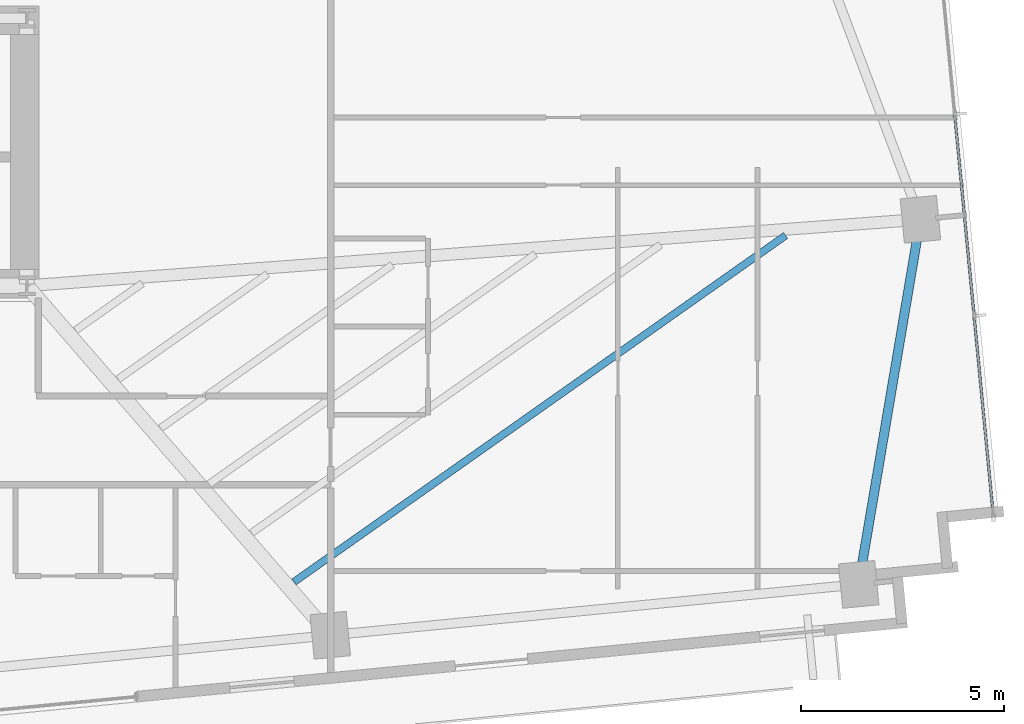
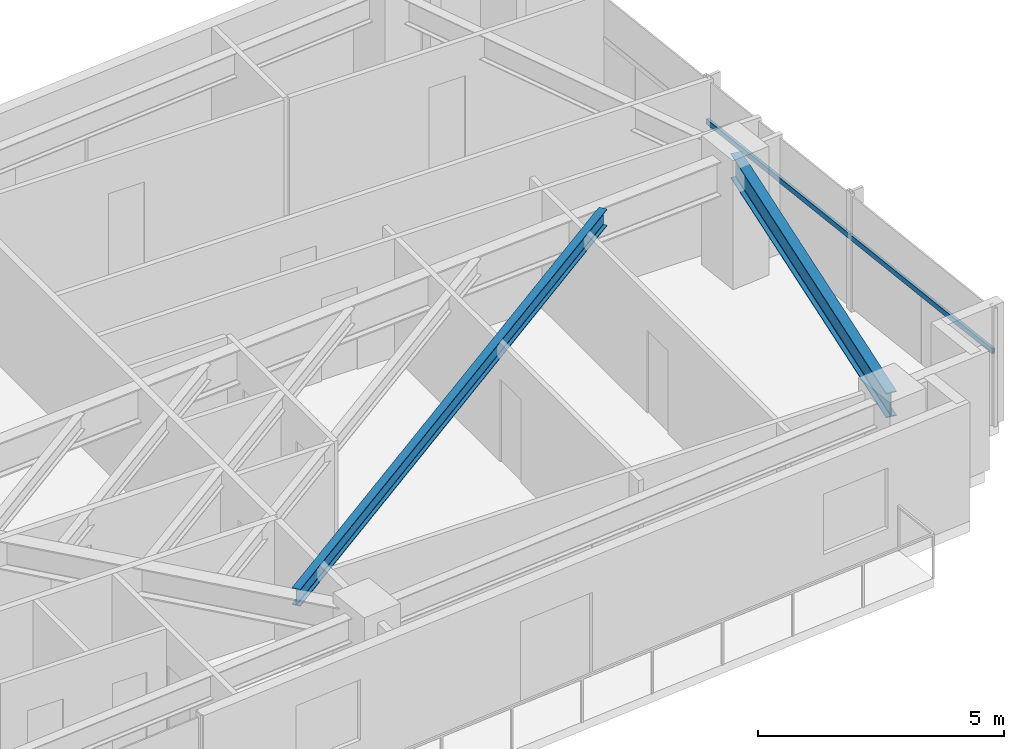
# One storey, part 15 of 27: 2 beams, 2 members, 1 element without a shape of its own.
"""IFC4 building model written with IfcOpenShell, lengths in metres."""

from ifc_helpers import new_model, si_unit, direction, frame, origin, origin_2d, place, context, subcontext, project, spatial, hollow_rectangle, i_section, extrude, source, transform, mapped, material, material_profile, profile_set, type_object, type_shapes, element, aggregate, save


model = new_model("IFC4")

# Units and contexts
model_context = context("Model", 3, precision=1e-05, world=origin(), true_north=direction((0.0, 1.0)))
body_context = subcontext(model_context, "Body", "Model", "MODEL_VIEW")
ifc_project = project(units=[si_unit("LENGTHUNIT", "METRE"), si_unit("AREAUNIT", "SQUARE_METRE"), si_unit("VOLUMEUNIT", "CUBIC_METRE"), si_unit("PLANEANGLEUNIT", "RADIAN"), si_unit("MASSUNIT", "GRAM", prefix="KILO")], contexts=[model_context])

# Site, building, storey
site_placement = place(None, origin())
site = spatial("IfcSite", under=ifc_project, at=site_placement, CompositionType="ELEMENT")
building_placement = place(site_placement, origin())
building = spatial("IfcBuilding", under=site, at=building_placement, Name="Astriad Promenade Condominiums", CompositionType="ELEMENT")
storey_placement = place(building_placement, frame((0.0, 0.0, 90.60009765625)))
storey = spatial("IfcBuildingStorey", under=building, at=storey_placement, Name="L25", CompositionType="ELEMENT", Elevation=90.60009765625)

# Beams
ifc_material_1 = material(Name="Steel ASTM A992 Grade 50", Category="steel")
ifc_material_profile_1 = material_profile(ifc_material_1, i_section(OverallWidth=0.22900390625, OverallDepth=0.612060546875, WebThickness=0.011962890625, FlangeThickness=0.01953125, FilletRadius=0.017822265625, at=origin_2d()), Name="W24X84")
ifc_profile_set_1 = profile_set([ifc_material_profile_1], Name="Steel ASTM A992 Grade 50")
beam_type_1 = type_object("IfcBeamType", Name="STEEL SPANDREL BEAM W24X84", PredefinedType="SPANDREL", material=ifc_profile_set_1)
shared_shape_1 = source(origin(), body_context, "Body", "SweptSolid", [
    extrude(i_section(OverallWidth=0.22900390625, OverallDepth=0.612060546875, WebThickness=0.011962890625, FlangeThickness=0.01953125, FilletRadius=0.017822265625, at=origin_2d()), origin(), (0.0, 0.0, 1.0), 9.055419921875),
])
type_shapes(beam_type_1, [shared_shape_1])
beam_1_placement = place(storey_placement, frame((66.13134765625, 10.0712890625, 2.6337890625), z_axis=(0.166776851291, 0.98599466625, 0.0), x_axis=(-0.98599466625, 0.166776851291, 0.0)))
element("IfcBeam", 1, at=beam_1_placement, inside=storey, type_object=beam_type_1, Name="Perimeter Spandrel Beam SP-E1-L25", PredefinedType="SPANDREL", context=body_context, shape_type="MappedRepresentation", body=[
    mapped(shared_shape_1, transform((0.0, 0.0, 0.0), scale=1.0)),
])
ifc_material_profile_2 = material_profile(ifc_material_1, i_section(OverallWidth=0.180908203125, OverallDepth=0.417236328125, WebThickness=0.010986328125, FlangeThickness=0.018310546875, FilletRadius=0.013916015625, at=origin_2d()), Name="W16X57")
ifc_profile_set_2 = profile_set([ifc_material_profile_2], Name="Steel ASTM A992 Grade 50")
beam_type_2 = type_object("IfcBeamType", Name="STEEL FLOOR JOIST W16X57", PredefinedType="JOIST", material=ifc_profile_set_2)
shared_shape_2 = source(origin(), body_context, "Body", "SweptSolid", [
    extrude(i_section(OverallWidth=0.180908203125, OverallDepth=0.417236328125, WebThickness=0.010986328125, FlangeThickness=0.018310546875, FilletRadius=0.013916015625, at=origin_2d()), origin(), (0.0, 0.0, 1.0), 14.838134765625),
])
type_shapes(beam_type_2, [shared_shape_2])
beam_2_placement = place(storey_placement, frame((52.192138671875, 10.093017578125, 2.731201171875), z_axis=(0.817419044294, 0.576043493171, 0.0), x_axis=(-0.576043493171, 0.817419044294, 0.0)))
element("IfcBeam", 2, at=beam_2_placement, inside=storey, type_object=beam_type_2, Name="Secondary Composite Floor Joist JE1-1-L25", PredefinedType="JOIST", context=body_context, shape_type="MappedRepresentation", body=[
    mapped(shared_shape_2, transform((0.0, 0.0, 0.0), scale=1.0)),
])

# Curtain wall, members
ifc_material_2 = material(Name="Anodised aluminium Black Dark Glass Unitised", Category="aluminium")
curtain_wall_type = type_object("IfcCurtainWallType", Name="CW-B2-DARK", PredefinedType="USERDEFINED", material=ifc_material_2)
curtain_wall_placement = place(storey_placement, origin())
curtain_wall = element("IfcCurtainWall", 3, at=curtain_wall_placement, inside=storey, type_object=curtain_wall_type, Name="CW-L25-E", ObjectType="UNITISED_CURTAIN_WALL", PredefinedType="USERDEFINED")
ifc_material_3 = material(Name="Anodised aluminium 6063-T6 Black", Category="aluminium")
ifc_material_profile_3 = material_profile(ifc_material_3, hollow_rectangle(XDim=0.06494140625, YDim=0.1298828125, WallThickness=0.00390625, at=origin_2d()), Name="ALU-TRN-65X130")
ifc_profile_set_3 = profile_set([ifc_material_profile_3], Name="Anodised aluminium 6063-T6 Black")
member_type = type_object("IfcMemberType", Name="TRN-ALU-TRN-65X130", PredefinedType="USERDEFINED", material=ifc_profile_set_3)
shared_shape_3 = source(origin(), body_context, "Body", "SweptSolid", [
    extrude(hollow_rectangle(XDim=0.06494140625, YDim=0.1298828125, WallThickness=0.00390625, at=origin_2d()), origin(), (0.0, 0.0, 1.0), 5.0),
])
member_1_placement = place(storey_placement, frame((68.972900390625, 16.6552734375, 1.82275390625), z_axis=(0.095848242264, -0.995395958629, 0.0), x_axis=(0.995395958629, 0.095848242264, 0.0)))
member_1 = element("IfcMember", 4, at=member_1_placement, type_object=member_type, Name="CW-L25-E-TRN-02-0", ObjectType="TRANSOM", PredefinedType="USERDEFINED", context=body_context, shape_type="MappedRepresentation", body=[
    mapped(shared_shape_3, transform((0.0, 0.0, 0.0), scale=1.0)),
])
shared_shape_4 = source(origin(), body_context, "Body", "SweptSolid", [
    extrude(hollow_rectangle(XDim=0.06494140625, YDim=0.1298828125, WallThickness=0.00390625, at=origin_2d()), origin(), (0.0, 0.0, 1.0), 4.999755859375),
])
type_shapes(member_type, [shared_shape_3, shared_shape_4])
member_2_placement = place(storey_placement, frame((68.493896484375, 21.632080078125, 1.82275390625), z_axis=(0.095804519461, -0.995400167797, 0.0), x_axis=(0.995400167797, 0.095804519461, 0.0)))
member_2 = element("IfcMember", 5, at=member_2_placement, type_object=member_type, Name="CW-L25-E-TRN-01-0", ObjectType="TRANSOM", PredefinedType="USERDEFINED", context=body_context, shape_type="MappedRepresentation", body=[
    mapped(shared_shape_4, transform((0.0, 0.0, 0.0), scale=1.0)),
])
aggregate(curtain_wall, [member_2, member_1])

save(model, "model.ifc")
